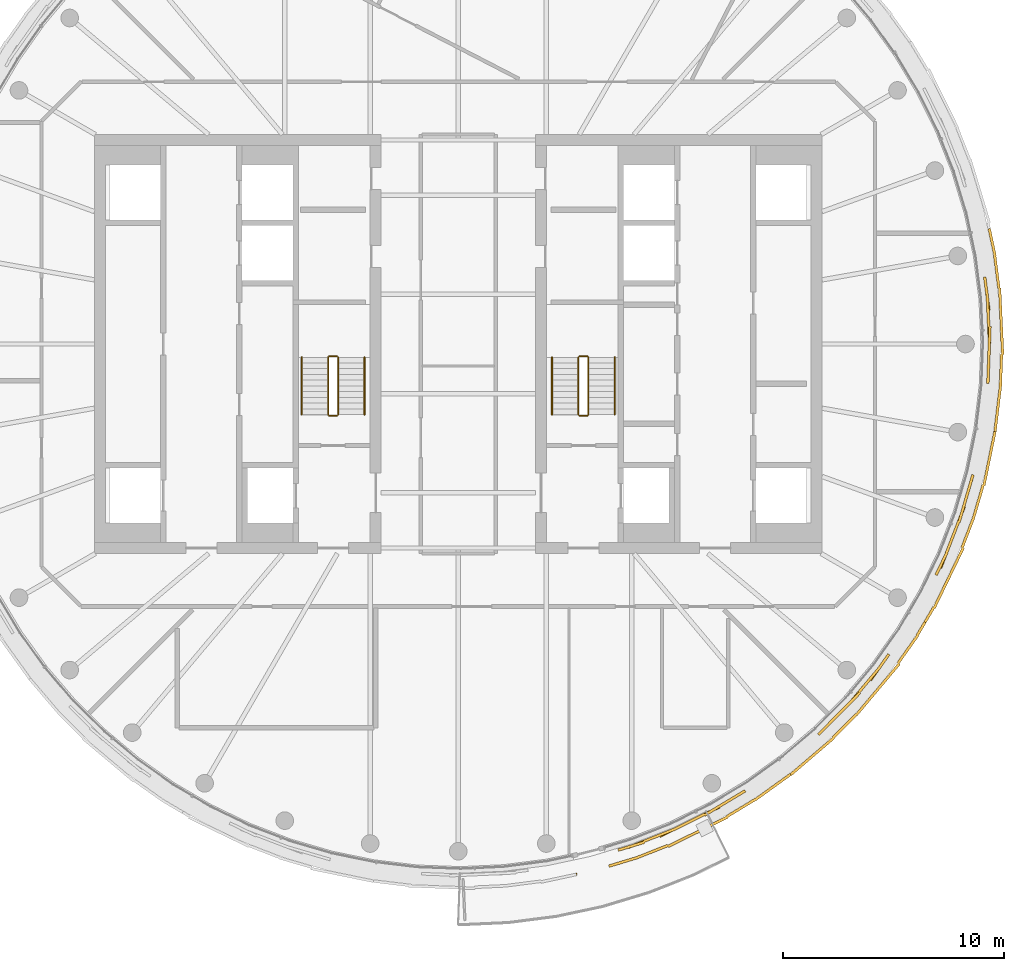
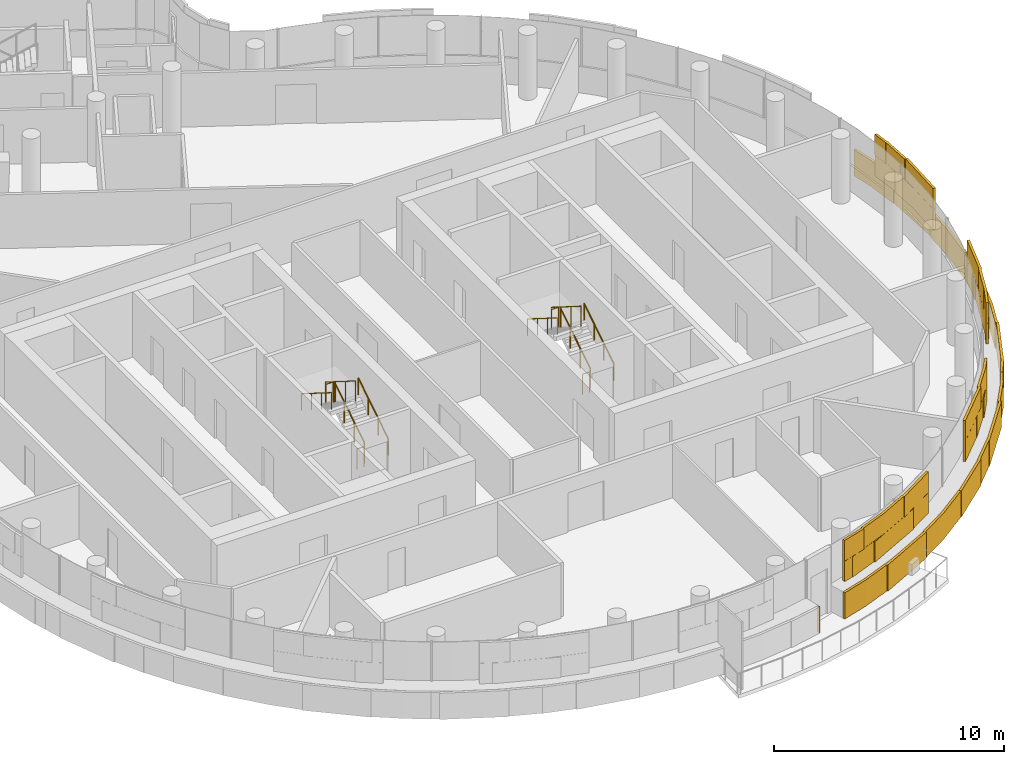
# One storey, part 18 of 21: 12 railings, 4 coverings.
"""IFC4 building model written with IfcOpenShell, lengths in metres."""

from ifc_helpers import new_model, si_unit, direction, frame, origin, origin_2d, place, context, subcontext, project, spatial, rectangle, circle, extrude, material, layer, layer_set, type_object, element, save


model = new_model("IFC4")

# Units and contexts
model_context = context("Model", 3, precision=1e-05, world=origin(), true_north=direction((0.0, 1.0)))
body_context = subcontext(model_context, "Body", "Model", "MODEL_VIEW")
ifc_project = project(units=[si_unit("LENGTHUNIT", "METRE"), si_unit("AREAUNIT", "SQUARE_METRE"), si_unit("VOLUMEUNIT", "CUBIC_METRE"), si_unit("PLANEANGLEUNIT", "RADIAN"), si_unit("MASSUNIT", "GRAM", prefix="KILO")], contexts=[model_context])

# Site, building, storey
site_placement = place(None, origin())
site = spatial("IfcSite", under=ifc_project, at=site_placement, CompositionType="ELEMENT")
building_placement = place(site_placement, origin())
building = spatial("IfcBuilding", under=site, at=building_placement, Name="Tamarind Cross Interchange Tower", CompositionType="ELEMENT")
storey_placement = place(building_placement, frame((0.0, 0.0, 260.39990234375)))
storey = spatial("IfcBuildingStorey", under=building, at=storey_placement, Name="L66", CompositionType="ELEMENT", Elevation=260.39990234375)

# Railings
ifc_material_1 = material(Name="Stair guard")
railing_type_1 = type_object("IfcRailingType", Name="Stair guard", PredefinedType="GUARDRAIL", material=ifc_material_1)
railing_1_placement = place(storey_placement, frame((-5.449951171875, -3.199951171875, 0.163818359375)))
element("IfcRailing", 1, at=railing_1_placement, inside=storey, type_object=railing_type_1, Name="L66 ST1 stair guard 1", PredefinedType="GUARDRAIL", context=body_context, shape_type="SweptSolid", body=[
    extrude(circle(Radius=0.02392578125, at=origin_2d()), frame((0.0, 0.0, 1.076171875), z_axis=(0.0, 0.846337672412, 0.532646734952), x_axis=(-1.0, 0.0, 0.0)), (0.0, 0.0, 1.0), 3.07177734375),
    extrude(circle(Radius=0.02099609375, at=origin_2d()), origin(), (0.0, 0.0, 1.0), 1.052001953125),
    extrude(circle(Radius=0.02099609375, at=origin_2d()), frame((0.0, 0.86669921875, 0.54541015625)), (0.0, 0.0, 1.0), 1.052001953125),
    extrude(circle(Radius=0.02099609375, at=origin_2d()), frame((0.0, 1.733154296875, 1.0908203125)), (0.0, 0.0, 1.0), 1.052001953125),
    extrude(circle(Radius=0.02099609375, at=origin_2d()), frame((0.0, 2.599853515625, 1.63623046875)), (0.0, 0.0, 1.0), 1.052001953125),
])
railing_2_placement = place(storey_placement, frame((-5.5, -0.550048828125, 1.800048828125)))
element("IfcRailing", 2, at=railing_2_placement, inside=storey, type_object=railing_type_1, Name="L66 ST1 stair guard 2", PredefinedType="GUARDRAIL", context=body_context, shape_type="SweptSolid", body=[
    extrude(circle(Radius=0.02392578125, at=origin_2d()), frame((0.0, 0.0, 1.076171875), z_axis=(-1.0, 0.0, 0.0), x_axis=(0.0, -1.0, 0.0)), (0.0, 0.0, 1.0), 0.35009765625),
    extrude(circle(Radius=0.02099609375, at=origin_2d()), origin(), (0.0, 0.0, 1.0), 1.052001953125),
    extrude(circle(Radius=0.02099609375, at=origin_2d()), frame((-0.35009765625, 0.0, 0.0)), (0.0, 0.0, 1.0), 1.052001953125),
])
railing_3_placement = place(storey_placement, frame((-5.89990234375, -0.60009765625, 1.963623046875)))
element("IfcRailing", 3, at=railing_3_placement, inside=storey, type_object=railing_type_1, Name="L66 ST1 stair guard 3", PredefinedType="GUARDRAIL", context=body_context, shape_type="SweptSolid", body=[
    extrude(circle(Radius=0.02392578125, at=origin_2d()), frame((0.0, 0.0, 1.076171875), z_axis=(0.0, -0.846301844409, 0.532703658848), x_axis=(1.0, 0.0, 0.0)), (0.0, 0.0, 1.0), 3.072021484375),
    extrude(circle(Radius=0.02099609375, at=origin_2d()), origin(), (0.0, 0.0, 1.0), 1.052001953125),
    extrude(circle(Radius=0.02099609375, at=origin_2d()), frame((0.0, -0.86669921875, 0.54541015625)), (0.0, 0.0, 1.0), 1.052001953125),
    extrude(circle(Radius=0.02099609375, at=origin_2d()), frame((0.0, -1.733154296875, 1.091064453125)), (0.0, 0.0, 1.0), 1.052001953125),
    extrude(circle(Radius=0.02099609375, at=origin_2d()), frame((0.0, -2.599853515625, 1.636474609375)), (0.0, 0.0, 1.0), 1.052001953125),
])
railing_4_placement = place(storey_placement, frame((-5.5, -3.25, 0.0)))
element("IfcRailing", 4, at=railing_4_placement, inside=storey, type_object=railing_type_1, Name="L66 ST1 stair guard 4", PredefinedType="GUARDRAIL", context=body_context, shape_type="SweptSolid", body=[
    extrude(circle(Radius=0.02392578125, at=origin_2d()), frame((0.0, 0.0, 1.076171875), z_axis=(-1.0, 0.0, 0.0), x_axis=(0.0, -1.0, 0.0)), (0.0, 0.0, 1.0), 0.35009765625),
    extrude(circle(Radius=0.02099609375, at=origin_2d()), origin(), (0.0, 0.0, 1.0), 1.052001953125),
    extrude(circle(Radius=0.02099609375, at=origin_2d()), frame((-0.35009765625, 0.0, 0.0)), (0.0, 0.0, 1.0), 1.052001953125),
])
railing_5_placement = place(storey_placement, frame((5.89990234375, -3.199951171875, 0.163818359375)))
element("IfcRailing", 5, at=railing_5_placement, inside=storey, type_object=railing_type_1, Name="L66 ST2 stair guard 1", PredefinedType="GUARDRAIL", context=body_context, shape_type="SweptSolid", body=[
    extrude(circle(Radius=0.02392578125, at=origin_2d()), frame((0.0, 0.0, 1.076171875), z_axis=(0.0, 0.846337672412, 0.532646734952), x_axis=(-1.0, 0.0, 0.0)), (0.0, 0.0, 1.0), 3.07177734375),
    extrude(circle(Radius=0.02099609375, at=origin_2d()), origin(), (0.0, 0.0, 1.0), 1.052001953125),
    extrude(circle(Radius=0.02099609375, at=origin_2d()), frame((0.0, 0.86669921875, 0.54541015625)), (0.0, 0.0, 1.0), 1.052001953125),
    extrude(circle(Radius=0.02099609375, at=origin_2d()), frame((0.0, 1.733154296875, 1.0908203125)), (0.0, 0.0, 1.0), 1.052001953125),
    extrude(circle(Radius=0.02099609375, at=origin_2d()), frame((0.0, 2.599853515625, 1.63623046875)), (0.0, 0.0, 1.0), 1.052001953125),
])
railing_6_placement = place(storey_placement, frame((5.85009765625, -0.550048828125, 1.800048828125)))
element("IfcRailing", 6, at=railing_6_placement, inside=storey, type_object=railing_type_1, Name="L66 ST2 stair guard 2", PredefinedType="GUARDRAIL", context=body_context, shape_type="SweptSolid", body=[
    extrude(circle(Radius=0.02392578125, at=origin_2d()), frame((0.0, 0.0, 1.076171875), z_axis=(-1.0, 0.0, 0.0), x_axis=(0.0, -1.0, 0.0)), (0.0, 0.0, 1.0), 0.35009765625),
    extrude(circle(Radius=0.02099609375, at=origin_2d()), origin(), (0.0, 0.0, 1.0), 1.052001953125),
    extrude(circle(Radius=0.02099609375, at=origin_2d()), frame((-0.35009765625, 0.0, 0.0)), (0.0, 0.0, 1.0), 1.052001953125),
])
railing_7_placement = place(storey_placement, frame((5.449951171875, -0.60009765625, 1.963623046875)))
element("IfcRailing", 7, at=railing_7_placement, inside=storey, type_object=railing_type_1, Name="L66 ST2 stair guard 3", PredefinedType="GUARDRAIL", context=body_context, shape_type="SweptSolid", body=[
    extrude(circle(Radius=0.02392578125, at=origin_2d()), frame((0.0, 0.0, 1.076171875), z_axis=(0.0, -0.846301844409, 0.532703658848), x_axis=(1.0, 0.0, 0.0)), (0.0, 0.0, 1.0), 3.072021484375),
    extrude(circle(Radius=0.02099609375, at=origin_2d()), origin(), (0.0, 0.0, 1.0), 1.052001953125),
    extrude(circle(Radius=0.02099609375, at=origin_2d()), frame((0.0, -0.86669921875, 0.54541015625)), (0.0, 0.0, 1.0), 1.052001953125),
    extrude(circle(Radius=0.02099609375, at=origin_2d()), frame((0.0, -1.733154296875, 1.091064453125)), (0.0, 0.0, 1.0), 1.052001953125),
    extrude(circle(Radius=0.02099609375, at=origin_2d()), frame((0.0, -2.599853515625, 1.636474609375)), (0.0, 0.0, 1.0), 1.052001953125),
])
railing_8_placement = place(storey_placement, frame((5.85009765625, -3.25, 0.0)))
element("IfcRailing", 8, at=railing_8_placement, inside=storey, type_object=railing_type_1, Name="L66 ST2 stair guard 4", PredefinedType="GUARDRAIL", context=body_context, shape_type="SweptSolid", body=[
    extrude(circle(Radius=0.02392578125, at=origin_2d()), frame((0.0, 0.0, 1.076171875), z_axis=(-1.0, 0.0, 0.0), x_axis=(0.0, -1.0, 0.0)), (0.0, 0.0, 1.0), 0.35009765625),
    extrude(circle(Radius=0.02099609375, at=origin_2d()), origin(), (0.0, 0.0, 1.0), 1.052001953125),
    extrude(circle(Radius=0.02099609375, at=origin_2d()), frame((-0.35009765625, 0.0, 0.0)), (0.0, 0.0, 1.0), 1.052001953125),
])
ifc_material_2 = material(Name="Stair handrail")
railing_type_2 = type_object("IfcRailingType", Name="Stair handrail", PredefinedType="HANDRAIL", material=ifc_material_2)
railing_9_placement = place(storey_placement, frame((-4.25, -3.199951171875, 0.163818359375)))
element("IfcRailing", 9, at=railing_9_placement, inside=storey, type_object=railing_type_2, Name="L66 ST1 stair handrail 1", PredefinedType="HANDRAIL", context=body_context, shape_type="SweptSolid", body=[
    extrude(circle(Radius=0.02392578125, at=origin_2d()), frame((0.0, 0.0, 0.8759765625), z_axis=(0.0, 0.846337672412, 0.532646734952), x_axis=(-1.0, 0.0, 0.0)), (0.0, 0.0, 1.0), 3.07177734375),
    extrude(circle(Radius=0.02099609375, at=origin_2d()), origin(), (0.0, 0.0, 1.0), 0.851806640625),
    extrude(circle(Radius=0.02099609375, at=origin_2d()), frame((0.0, 0.86669921875, 0.54541015625)), (0.0, 0.0, 1.0), 0.851806640625),
    extrude(circle(Radius=0.02099609375, at=origin_2d()), frame((0.0, 1.733154296875, 1.0908203125)), (0.0, 0.0, 1.0), 0.851806640625),
    extrude(circle(Radius=0.02099609375, at=origin_2d()), frame((0.0, 2.599853515625, 1.63623046875)), (0.0, 0.0, 1.0), 0.851806640625),
])
railing_10_placement = place(storey_placement, frame((-7.10009765625, -0.60009765625, 1.963623046875)))
element("IfcRailing", 10, at=railing_10_placement, inside=storey, type_object=railing_type_2, Name="L66 ST1 stair handrail 2", PredefinedType="HANDRAIL", context=body_context, shape_type="SweptSolid", body=[
    extrude(circle(Radius=0.02392578125, at=origin_2d()), frame((0.0, 0.0, 0.8759765625), z_axis=(0.0, -0.846301844409, 0.532703658848), x_axis=(1.0, 0.0, 0.0)), (0.0, 0.0, 1.0), 3.072021484375),
    extrude(circle(Radius=0.02099609375, at=origin_2d()), origin(), (0.0, 0.0, 1.0), 0.851806640625),
    extrude(circle(Radius=0.02099609375, at=origin_2d()), frame((0.0, -0.86669921875, 0.54541015625)), (0.0, 0.0, 1.0), 0.851806640625),
    extrude(circle(Radius=0.02099609375, at=origin_2d()), frame((0.0, -1.733154296875, 1.091064453125)), (0.0, 0.0, 1.0), 0.851806640625),
    extrude(circle(Radius=0.02099609375, at=origin_2d()), frame((0.0, -2.599853515625, 1.636474609375)), (0.0, 0.0, 1.0), 0.851806640625),
])
railing_11_placement = place(storey_placement, frame((7.10009765625, -3.199951171875, 0.163818359375)))
element("IfcRailing", 11, at=railing_11_placement, inside=storey, type_object=railing_type_2, Name="L66 ST2 stair handrail 1", PredefinedType="HANDRAIL", context=body_context, shape_type="SweptSolid", body=[
    extrude(circle(Radius=0.02392578125, at=origin_2d()), frame((0.0, 0.0, 0.8759765625), z_axis=(0.0, 0.846337672412, 0.532646734952), x_axis=(-1.0, 0.0, 0.0)), (0.0, 0.0, 1.0), 3.07177734375),
    extrude(circle(Radius=0.02099609375, at=origin_2d()), origin(), (0.0, 0.0, 1.0), 0.851806640625),
    extrude(circle(Radius=0.02099609375, at=origin_2d()), frame((0.0, 0.86669921875, 0.54541015625)), (0.0, 0.0, 1.0), 0.851806640625),
    extrude(circle(Radius=0.02099609375, at=origin_2d()), frame((0.0, 1.733154296875, 1.0908203125)), (0.0, 0.0, 1.0), 0.851806640625),
    extrude(circle(Radius=0.02099609375, at=origin_2d()), frame((0.0, 2.599853515625, 1.63623046875)), (0.0, 0.0, 1.0), 0.851806640625),
])
railing_12_placement = place(storey_placement, frame((4.25, -0.60009765625, 1.963623046875)))
element("IfcRailing", 12, at=railing_12_placement, inside=storey, type_object=railing_type_2, Name="L66 ST2 stair handrail 2", PredefinedType="HANDRAIL", context=body_context, shape_type="SweptSolid", body=[
    extrude(circle(Radius=0.02392578125, at=origin_2d()), frame((0.0, 0.0, 0.8759765625), z_axis=(0.0, -0.846301844409, 0.532703658848), x_axis=(1.0, 0.0, 0.0)), (0.0, 0.0, 1.0), 3.072021484375),
    extrude(circle(Radius=0.02099609375, at=origin_2d()), origin(), (0.0, 0.0, 1.0), 0.851806640625),
    extrude(circle(Radius=0.02099609375, at=origin_2d()), frame((0.0, -0.86669921875, 0.54541015625)), (0.0, 0.0, 1.0), 0.851806640625),
    extrude(circle(Radius=0.02099609375, at=origin_2d()), frame((0.0, -1.733154296875, 1.091064453125)), (0.0, 0.0, 1.0), 0.851806640625),
    extrude(circle(Radius=0.02099609375, at=origin_2d()), frame((0.0, -2.599853515625, 1.636474609375)), (0.0, 0.0, 1.0), 0.851806640625),
])

# Coverings
ifc_material_3 = material(Name="Terracotta", Category="masonry")
ifc_layer = layer(ifc_material_3, 0.1201171875)
ifc_layer_set = layer_set([ifc_layer], Name="Terracotta")
covering_type = type_object("IfcCoveringType", Name="Terracotta baguette screen unit", PredefinedType="MOLDING", material=ifc_layer_set)
covering_1_placement = place(storey_placement, origin())
element("IfcCovering", 13, at=covering_1_placement, inside=storey, type_object=covering_type, Name="SCR-L66-01-08", PredefinedType="MOLDING", context=body_context, shape_type="SweptSolid", body=[
    extrude(rectangle(XDim=0.492919921875, YDim=0.1201171875, at=origin_2d()), frame((7.486572265625, -22.877685546875, 1.404296875), z_axis=(0.0, 0.0, 1.0), x_axis=(0.957190642199, 0.289458243079, 0.0)), (0.0, 0.0, 1.0), 1.092041015625),
    extrude(rectangle(XDim=1.52001953125, YDim=0.1201171875, at=origin_2d()), frame((8.421142578125, -22.548583984375, 1.404296875), z_axis=(0.0, 0.0, 1.0), x_axis=(0.930018078613, 0.367513773146, 0.0)), (0.0, 0.0, 1.0), 1.092041015625),
    extrude(rectangle(XDim=1.52001953125, YDim=0.1201171875, at=origin_2d()), frame((9.814453125, -21.99365234375, 1.404296875), z_axis=(0.0, 0.0, 1.0), x_axis=(0.896492548518, 0.443058811505, 0.0)), (0.0, 0.0, 1.0), 1.092041015625),
    extrude(rectangle(XDim=1.52001953125, YDim=0.1201171875, at=origin_2d()), frame((11.1591796875, -21.3291015625, 1.404296875), z_axis=(0.0, 0.0, 1.0), x_axis=(0.896492548518, 0.443058811505, 0.0)), (0.0, 0.0, 1.0), 1.092041015625),
    extrude(rectangle(XDim=1.39599609375, YDim=0.1201171875, at=origin_2d()), frame((12.4130859375, -20.616943359375, 1.404296875), z_axis=(0.0, 0.0, 1.0), x_axis=(0.856843065292, 0.515577308909, 0.0)), (0.0, 0.0, 1.0), 1.092041015625),
    extrude(rectangle(XDim=1.242919921875, YDim=0.1201171875, at=origin_2d()), frame((7.845703125, -22.769287109375, 2.50390625), z_axis=(0.0, 0.0, 1.0), x_axis=(0.957190642199, 0.289458243079, 0.0)), (0.0, 0.0, 1.0), 1.092041015625),
    extrude(rectangle(XDim=1.52001953125, YDim=0.1201171875, at=origin_2d()), frame((9.11865234375, -22.27294921875, 2.50390625), z_axis=(0.0, 0.0, 1.0), x_axis=(0.930018078613, 0.367513773146, 0.0)), (0.0, 0.0, 1.0), 1.092041015625),
    extrude(rectangle(XDim=1.52001953125, YDim=0.1201171875, at=origin_2d()), frame((10.48681640625, -21.661376953125, 2.50390625), z_axis=(0.0, 0.0, 1.0), x_axis=(0.896492548518, 0.443058811505, 0.0)), (0.0, 0.0, 1.0), 1.092041015625),
    extrude(rectangle(XDim=1.52001953125, YDim=0.1201171875, at=origin_2d()), frame((11.8193359375, -20.974365234375, 2.50390625), z_axis=(0.0, 0.0, 1.0), x_axis=(0.856843065292, 0.515577308909, 0.0)), (0.0, 0.0, 1.0), 1.092041015625),
    extrude(rectangle(XDim=0.64599609375, YDim=0.1201171875, at=origin_2d()), frame((12.734375, -20.423583984375, 2.50390625), z_axis=(0.0, 0.0, 1.0), x_axis=(0.856843065292, 0.515577308909, 0.0)), (0.0, 0.0, 1.0), 1.092041015625),
    extrude(rectangle(XDim=0.03076171875, YDim=0.1201171875, at=origin_2d()), frame((5.36865234375, -24.04833984375, 0.004150390625), z_axis=(0.0, 0.0, 1.0), x_axis=(0.977824623121, 0.209425419705, 0.0)), (0.0, 0.0, 1.0), 1.39208984375),
    extrude(rectangle(XDim=1.33740234375, YDim=0.1201171875, at=origin_2d()), frame((7.476318359375, -23.48046875, 0.004150390625), z_axis=(0.0, 0.0, 1.0), x_axis=(0.957190642199, 0.289458243079, 0.0)), (0.0, 0.0, 1.0), 1.39208984375),
    extrude(rectangle(XDim=1.52001953125, YDim=0.1201171875, at=origin_2d()), frame((8.80419921875, -23.014404296875, 0.004150390625), z_axis=(0.0, 0.0, 1.0), x_axis=(0.930018078613, 0.367513773146, 0.0)), (0.0, 0.0, 1.0), 1.39208984375),
    extrude(rectangle(XDim=1.52001953125, YDim=0.1201171875, at=origin_2d()), frame((10.192138671875, -22.447021484375, 0.004150390625), z_axis=(0.0, 0.0, 1.0), x_axis=(0.896492548518, 0.443058811505, 0.0)), (0.0, 0.0, 1.0), 1.39208984375),
    extrude(rectangle(XDim=1.52001953125, YDim=0.1201171875, at=origin_2d()), frame((11.536865234375, -21.782470703125, 0.004150390625), z_axis=(0.0, 0.0, 1.0), x_axis=(0.896492548518, 0.443058811505, 0.0)), (0.0, 0.0, 1.0), 1.39208984375),
    extrude(rectangle(XDim=1.52001953125, YDim=0.1201171875, at=origin_2d()), frame((12.835205078125, -21.032958984375, 0.004150390625), z_axis=(0.0, 0.0, 1.0), x_axis=(0.856843065292, 0.515577308909, 0.0)), (0.0, 0.0, 1.0), 1.39208984375),
    extrude(rectangle(XDim=1.52001953125, YDim=0.1201171875, at=origin_2d()), frame((14.091552734375, -20.2158203125, 0.004150390625), z_axis=(0.0, 0.0, 1.0), x_axis=(0.811340475102, 0.584573890505, 0.0)), (0.0, 0.0, 1.0), 1.39208984375),
    extrude(rectangle(XDim=0.472412109375, YDim=0.1201171875, at=origin_2d()), frame((14.8837890625, -19.64501953125, 0.004150390625), z_axis=(0.0, 0.0, 1.0), x_axis=(0.811340475102, 0.584573890505, 0.0)), (0.0, 0.0, 1.0), 1.39208984375),
])
covering_2_placement = place(storey_placement, origin())
element("IfcCovering", 14, at=covering_2_placement, inside=storey, type_object=covering_type, Name="SCR-L66-01-09", PredefinedType="MOLDING", context=body_context, shape_type="SweptSolid", body=[
    extrude(rectangle(XDim=0.424072265625, YDim=0.1201171875, at=origin_2d()), frame((16.48046875, -17.558349609375, 1.404296875), z_axis=(0.0, 0.0, 1.0), x_axis=(0.704057148523, 0.710143317658, 0.0)), (0.0, 0.0, 1.0), 1.092041015625),
    extrude(rectangle(XDim=1.52001953125, YDim=0.1201171875, at=origin_2d()), frame((17.154296875, -16.878662109375, 1.404296875), z_axis=(0.0, 0.0, 1.0), x_axis=(0.704057148523, 0.710143317658, 0.0)), (0.0, 0.0, 1.0), 1.092041015625),
    extrude(rectangle(XDim=1.52001953125, YDim=0.1201171875, at=origin_2d()), frame((18.173828125, -15.7802734375, 1.404296875), z_axis=(0.0, 0.0, 1.0), x_axis=(0.643009266048, 0.765858396687, 0.0)), (0.0, 0.0, 1.0), 1.092041015625),
    extrude(rectangle(XDim=1.438720703125, YDim=0.1201171875, at=origin_2d()), frame((19.11083984375, -14.6552734375, 1.404296875), z_axis=(0.0, 0.0, 1.0), x_axis=(0.577568978284, 0.816341886298, 0.0)), (0.0, 0.0, 1.0), 1.092041015625),
    extrude(rectangle(XDim=1.174072265625, YDim=0.1201171875, at=origin_2d()), frame((16.744384765625, -17.2919921875, 2.50390625), z_axis=(0.0, 0.0, 1.0), x_axis=(0.704057148523, 0.710143317658, 0.0)), (0.0, 0.0, 1.0), 1.092041015625),
    extrude(rectangle(XDim=1.52001953125, YDim=0.1201171875, at=origin_2d()), frame((17.68212890625, -16.345947265625, 2.50390625), z_axis=(0.0, 0.0, 1.0), x_axis=(0.704057148523, 0.710143317658, 0.0)), (0.0, 0.0, 1.0), 1.092041015625),
    extrude(rectangle(XDim=1.52001953125, YDim=0.1201171875, at=origin_2d()), frame((18.65625, -15.205810546875, 2.50390625), z_axis=(0.0, 0.0, 1.0), x_axis=(0.643009266048, 0.765858396687, 0.0)), (0.0, 0.0, 1.0), 1.092041015625),
    extrude(rectangle(XDim=0.688720703125, YDim=0.1201171875, at=origin_2d()), frame((19.327392578125, -14.34912109375, 2.50390625), z_axis=(0.0, 0.0, 1.0), x_axis=(0.577568978284, 0.816341886298, 0.0)), (0.0, 0.0, 1.0), 1.092041015625),
    extrude(rectangle(XDim=1.047607421875, YDim=0.1201171875, at=origin_2d()), frame((15.4833984375, -19.17919921875, 0.004150390625), z_axis=(0.0, 0.0, 1.0), x_axis=(0.760295606781, 0.64957723968, 0.0)), (0.0, 0.0, 1.0), 1.39208984375),
    extrude(rectangle(XDim=1.52001953125, YDim=0.1201171875, at=origin_2d()), frame((16.444091796875, -18.358154296875, 0.004150390625), z_axis=(0.0, 0.0, 1.0), x_axis=(0.760295606781, 0.64957723968, 0.0)), (0.0, 0.0, 1.0), 1.39208984375),
    extrude(rectangle(XDim=1.52001953125, YDim=0.1201171875, at=origin_2d()), frame((17.525146484375, -17.31982421875, 0.004150390625), z_axis=(0.0, 0.0, 1.0), x_axis=(0.704057148523, 0.710143317658, 0.0)), (0.0, 0.0, 1.0), 1.39208984375),
    extrude(rectangle(XDim=1.52001953125, YDim=0.1201171875, at=origin_2d()), frame((18.54931640625, -16.2255859375, 0.004150390625), z_axis=(0.0, 0.0, 1.0), x_axis=(0.643009266048, 0.765858396687, 0.0)), (0.0, 0.0, 1.0), 1.39208984375),
    extrude(rectangle(XDim=1.52001953125, YDim=0.1201171875, at=origin_2d()), frame((19.513916015625, -15.076904296875, 0.004150390625), z_axis=(0.0, 0.0, 1.0), x_axis=(0.643009266048, 0.765858396687, 0.0)), (0.0, 0.0, 1.0), 1.39208984375),
    extrude(rectangle(XDim=1.52001953125, YDim=0.1201171875, at=origin_2d()), frame((20.381591796875, -13.853271484375, 0.004150390625), z_axis=(0.0, 0.0, 1.0), x_axis=(0.577568978284, 0.816341886298, 0.0)), (0.0, 0.0, 1.0), 1.39208984375),
    extrude(rectangle(XDim=0.730712890625, YDim=0.1201171875, at=origin_2d()), frame((20.98193359375, -12.92626953125, 0.004150390625), z_axis=(0.0, 0.0, 1.0), x_axis=(0.508183308752, 0.861248933065, 0.0)), (0.0, 0.0, 1.0), 1.39208984375),
])
covering_3_placement = place(storey_placement, origin())
element("IfcCovering", 15, at=covering_3_placement, inside=storey, type_object=covering_type, Name="SCR-L66-01-10", PredefinedType="MOLDING", context=body_context, shape_type="SweptSolid", body=[
    extrude(rectangle(XDim=0.38134765625, YDim=0.1201171875, at=origin_2d()), frame((21.749267578125, -10.302734375, 1.404296875), z_axis=(0.0, 0.0, 1.0), x_axis=(0.435326231914, 0.900272776334, 0.0)), (0.0, 0.0, 1.0), 1.092041015625),
    extrude(rectangle(XDim=1.52001953125, YDim=0.1201171875, at=origin_2d()), frame((22.146728515625, -9.4560546875, 1.404296875), z_axis=(0.0, 0.0, 1.0), x_axis=(0.359495435512, 0.933146843667, 0.0)), (0.0, 0.0, 1.0), 1.092041015625),
    extrude(rectangle(XDim=1.52001953125, YDim=0.1201171875, at=origin_2d()), frame((22.685791015625, -8.056396484375, 1.404296875), z_axis=(0.0, 0.0, 1.0), x_axis=(0.359495435512, 0.933146843667, 0.0)), (0.0, 0.0, 1.0), 1.092041015625),
    extrude(rectangle(XDim=1.48193359375, YDim=0.1201171875, at=origin_2d()), frame((23.1318359375, -6.639892578125, 1.404296875), z_axis=(0.0, 0.0, 1.0), x_axis=(0.281208920763, 0.95964657186, 0.0)), (0.0, 0.0, 1.0), 1.092041015625),
    extrude(rectangle(XDim=1.13134765625, YDim=0.1201171875, at=origin_2d()), frame((21.91259765625, -9.965087890625, 2.50390625), z_axis=(0.0, 0.0, 1.0), x_axis=(0.435326231914, 0.900272776334, 0.0)), (0.0, 0.0, 1.0), 1.092041015625),
    extrude(rectangle(XDim=1.52001953125, YDim=0.1201171875, at=origin_2d()), frame((22.416259765625, -8.756103515625, 2.50390625), z_axis=(0.0, 0.0, 1.0), x_axis=(0.359495435512, 0.933146843667, 0.0)), (0.0, 0.0, 1.0), 1.092041015625),
    extrude(rectangle(XDim=1.52001953125, YDim=0.1201171875, at=origin_2d()), frame((22.9248046875, -7.34619140625, 2.50390625), z_axis=(0.0, 0.0, 1.0), x_axis=(0.281208920763, 0.95964657186, 0.0)), (0.0, 0.0, 1.0), 1.092041015625),
    extrude(rectangle(XDim=0.73193359375, YDim=0.1201171875, at=origin_2d()), frame((23.237060546875, -6.280029296875, 2.50390625), z_axis=(0.0, 0.0, 1.0), x_axis=(0.281208920763, 0.95964657186, 0.0)), (0.0, 0.0, 1.0), 1.092041015625),
    extrude(rectangle(XDim=0.789306640625, YDim=0.1201171875, at=origin_2d()), frame((21.367919921875, -12.271728515625, 0.004150390625), z_axis=(0.0, 0.0, 1.0), x_axis=(0.508183308752, 0.861248933065, 0.0)), (0.0, 0.0, 1.0), 1.39208984375),
    extrude(rectangle(XDim=1.52001953125, YDim=0.1201171875, at=origin_2d()), frame((21.9150390625, -11.278564453125, 0.004150390625), z_axis=(0.0, 0.0, 1.0), x_axis=(0.435326231914, 0.900272776334, 0.0)), (0.0, 0.0, 1.0), 1.39208984375),
    extrude(rectangle(XDim=1.52001953125, YDim=0.1201171875, at=origin_2d()), frame((22.568115234375, -9.92822265625, 0.004150390625), z_axis=(0.0, 0.0, 1.0), x_axis=(0.435326231914, 0.900272776334, 0.0)), (0.0, 0.0, 1.0), 1.39208984375),
    extrude(rectangle(XDim=1.52001953125, YDim=0.1201171875, at=origin_2d()), frame((23.117431640625, -8.532958984375, 0.004150390625), z_axis=(0.0, 0.0, 1.0), x_axis=(0.359495435512, 0.933146843667, 0.0)), (0.0, 0.0, 1.0), 1.39208984375),
    extrude(rectangle(XDim=1.52001953125, YDim=0.1201171875, at=origin_2d()), frame((23.591796875, -7.111083984375, 0.004150390625), z_axis=(0.0, 0.0, 1.0), x_axis=(0.281208920763, 0.95964657186, 0.0)), (0.0, 0.0, 1.0), 1.39208984375),
    extrude(rectangle(XDim=1.52001953125, YDim=0.1201171875, at=origin_2d()), frame((23.990234375, -5.666015625, 0.004150390625), z_axis=(0.0, 0.0, 1.0), x_axis=(0.201001463943, 0.9795909409, 0.0)), (0.0, 0.0, 1.0), 1.39208984375),
    extrude(rectangle(XDim=0.98974609375, YDim=0.1201171875, at=origin_2d()), frame((24.238525390625, -4.456298828125, 0.004150390625), z_axis=(0.0, 0.0, 1.0), x_axis=(0.201001463943, 0.9795909409, 0.0)), (0.0, 0.0, 1.0), 1.39208984375),
])
covering_4_placement = place(storey_placement, origin())
element("IfcCovering", 16, at=covering_4_placement, inside=storey, type_object=covering_type, Name="SCR-L66-01-11", PredefinedType="MOLDING", context=body_context, shape_type="SweptSolid", body=[
    extrude(rectangle(XDim=0.338134765625, YDim=0.1201171875, at=origin_2d()), frame((24.021484375, -1.629638671875, 1.404296875), z_axis=(0.0, 0.0, 1.0), x_axis=(0.037024696392, 0.999314350871, 0.0)), (0.0, 0.0, 1.0), 1.092041015625),
    extrude(rectangle(XDim=1.52001953125, YDim=0.1201171875, at=origin_2d()), frame((24.055419921875, -0.71630859375, 1.404296875), z_axis=(0.0, 0.0, 1.0), x_axis=(0.037024696392, 0.999314350871, 0.0)), (0.0, 0.0, 1.0), 1.092041015625),
    extrude(rectangle(XDim=1.52001953125, YDim=0.1201171875, at=origin_2d()), frame((24.0546875, 0.782470703125, 1.404296875), z_axis=(0.0, 0.0, 1.0), x_axis=(-0.045624486728, 0.998958660912, 0.0)), (0.0, 0.0, 1.0), 1.092041015625),
    extrude(rectangle(XDim=1.52001953125, YDim=0.1201171875, at=origin_2d()), frame((23.970703125, 2.279541015625, 1.404296875), z_axis=(0.0, 0.0, 1.0), x_axis=(-0.127962008342, 0.991779070368, 0.0)), (0.0, 0.0, 1.0), 1.092041015625),
    extrude(rectangle(XDim=1.088134765625, YDim=0.1201171875, at=origin_2d()), frame((24.035400390625, -1.2548828125, 2.50390625), z_axis=(0.0, 0.0, 1.0), x_axis=(0.037024696392, 0.999314350871, 0.0)), (0.0, 0.0, 1.0), 1.092041015625),
    extrude(rectangle(XDim=1.52001953125, YDim=0.1201171875, at=origin_2d()), frame((24.083251953125, 0.033203125, 2.50390625), z_axis=(0.0, 0.0, 1.0), x_axis=(0.037024696392, 0.999314350871, 0.0)), (0.0, 0.0, 1.0), 1.092041015625),
    extrude(rectangle(XDim=1.52001953125, YDim=0.1201171875, at=origin_2d()), frame((24.0205078125, 1.53173828125, 2.50390625), z_axis=(0.0, 0.0, 1.0), x_axis=(-0.045624486728, 0.998958660912, 0.0)), (0.0, 0.0, 1.0), 1.092041015625),
    extrude(rectangle(XDim=0.774658203125, YDim=0.1201171875, at=origin_2d()), frame((23.921875, 2.65869140625, 2.50390625), z_axis=(0.0, 0.0, 1.0), x_axis=(-0.127962008342, 0.991779070368, 0.0)), (0.0, 0.0, 1.0), 1.092041015625),
    extrude(rectangle(XDim=0.5302734375, YDim=0.1201171875, at=origin_2d()), frame((24.37109375, -3.70849609375, 0.004150390625), z_axis=(0.0, 0.0, 1.0), x_axis=(0.119420963295, 0.992843710523, 0.0)), (0.0, 0.0, 1.0), 1.39208984375),
    extrude(rectangle(XDim=1.52001953125, YDim=0.1201171875, at=origin_2d()), frame((24.490966796875, -2.71044921875, 0.004150390625), z_axis=(0.0, 0.0, 1.0), x_axis=(0.119420963295, 0.992843710523, 0.0)), (0.0, 0.0, 1.0), 1.39208984375),
    extrude(rectangle(XDim=1.52001953125, YDim=0.1201171875, at=origin_2d()), frame((24.611328125, -1.216552734375, 0.004150390625), z_axis=(0.0, 0.0, 1.0), x_axis=(0.037024696392, 0.999314350871, 0.0)), (0.0, 0.0, 1.0), 1.39208984375),
    extrude(rectangle(XDim=1.52001953125, YDim=0.1201171875, at=origin_2d()), frame((24.65234375, 0.2822265625, 0.004150390625), z_axis=(0.0, 0.0, 1.0), x_axis=(-0.045624486728, 0.998958660912, 0.0)), (0.0, 0.0, 1.0), 1.39208984375),
    extrude(rectangle(XDim=1.52001953125, YDim=0.1201171875, at=origin_2d()), frame((24.583740234375, 1.78076171875, 0.004150390625), z_axis=(0.0, 0.0, 1.0), x_axis=(-0.045624486728, 0.998958660912, 0.0)), (0.0, 0.0, 1.0), 1.39208984375),
    extrude(rectangle(XDim=1.52001953125, YDim=0.1201171875, at=origin_2d()), frame((24.421630859375, 3.27099609375, 0.004150390625), z_axis=(0.0, 0.0, 1.0), x_axis=(-0.127962008342, 0.991779070368, 0.0)), (0.0, 0.0, 1.0), 1.39208984375),
    extrude(rectangle(XDim=1.248291015625, YDim=0.1201171875, at=origin_2d()), frame((24.209228515625, 4.617431640625, 0.004150390625), z_axis=(0.0, 0.0, 1.0), x_axis=(-0.209425419705, 0.977824623121, 0.0)), (0.0, 0.0, 1.0), 1.39208984375),
])

save(model, "model.ifc")
